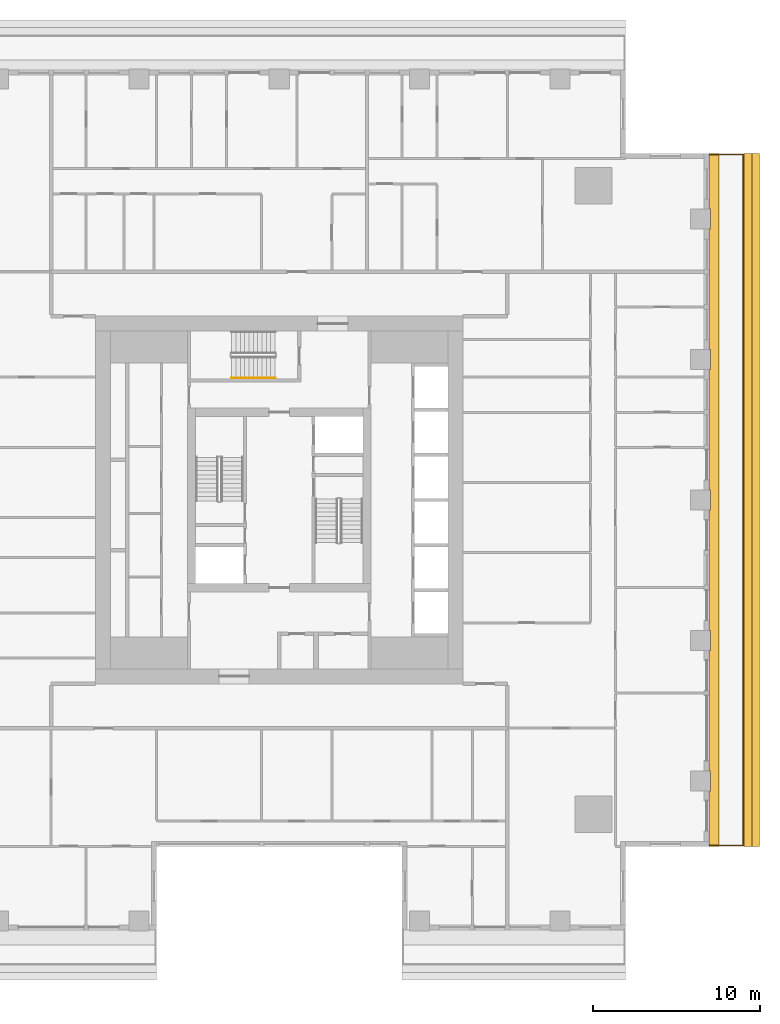
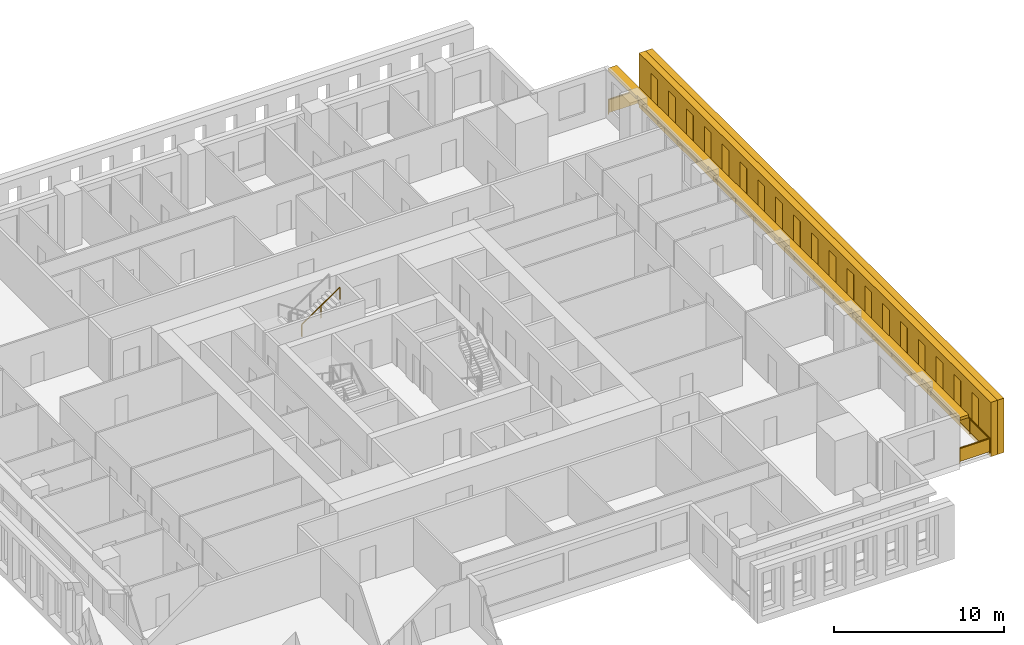
# One storey, part 13 of 15: 3 shading devices, 2 railings.
"""IFC4 building model written with IfcOpenShell, lengths in metres."""

from ifc_helpers import new_model, si_unit, direction, frame, origin, origin_2d, place, context, subcontext, project, spatial, polyline, rectangle, outline, extrude, material, layer, layer_set, type_object, element, save


model = new_model("IFC4")

# Units and contexts
model_context = context("Model", 3, precision=1e-05, world=origin(), true_north=direction((0.0, 1.0)))
body_context = subcontext(model_context, "Body", "Model", "MODEL_VIEW")
ifc_project = project(units=[si_unit("LENGTHUNIT", "METRE"), si_unit("AREAUNIT", "SQUARE_METRE"), si_unit("VOLUMEUNIT", "CUBIC_METRE"), si_unit("PLANEANGLEUNIT", "RADIAN"), si_unit("MASSUNIT", "GRAM", prefix="KILO")], contexts=[model_context])

# Site, building, storey
site_placement = place(None, origin())
site = spatial("IfcSite", under=ifc_project, at=site_placement, CompositionType="ELEMENT")
building_placement = place(site_placement, origin())
building = spatial("IfcBuilding", under=site, at=building_placement, Name="Khepri Terraces", CompositionType="ELEMENT")
storey_placement = place(building_placement, frame((0.0, 0.0, 260.10009765625)))
storey = spatial("IfcBuildingStorey", under=building, at=storey_placement, Name="L62", CompositionType="ELEMENT", Elevation=260.10009765625)

# Railings
ifc_material_1 = material(Name="Stainless steel grade 316", Category="steel")
railing_type_1 = type_object("IfcRailingType", Name="GRD-BAL-1100", PredefinedType="GUARDRAIL", material=ifc_material_1)
railing_1_placement = place(storey_placement, frame((25.719970703125, -20.669921875, 0.0)))
element("IfcRailing", 1, at=railing_1_placement, inside=storey, type_object=railing_type_1, Name="Balcony guard L62 E", PredefinedType="GUARDRAIL", context=body_context, shape_type="SweptSolid", body=[
    extrude(rectangle(XDim=0.050048828125, YDim=0.06005859375, at=origin_2d()), frame((0.0, 0.0, 1.070068359375), z_axis=(1.0, 0.0, 0.0), x_axis=(0.0, 1.0, 0.0)), (0.0, 0.0, 1.0), 2.050048828125),
    extrude(rectangle(XDim=2.0, YDim=0.011962890625, at=origin_2d()), frame((1.02490234375, 0.0, 0.10009765625), z_axis=(0.0, 0.0, 1.0), x_axis=(1.0, 0.0, 0.0)), (0.0, 0.0, 1.0), 0.93994140625),
    extrude(rectangle(XDim=0.050048828125, YDim=0.06005859375, at=origin_2d()), frame((2.050048828125, 0.0, 1.070068359375), z_axis=(0.0, 1.0, 0.0), x_axis=(-1.0, 0.0, 0.0)), (0.0, 0.0, 1.0), 41.33984375),
    extrude(rectangle(XDim=2.24658203125, YDim=0.011962890625, at=origin_2d()), frame((2.050048828125, 1.1484375, 0.10009765625), z_axis=(0.0, 0.0, 1.0), x_axis=(0.0, 1.0, 0.0)), (0.0, 0.0, 1.0), 0.93994140625),
    extrude(rectangle(XDim=2.24658203125, YDim=0.011962890625, at=origin_2d()), frame((2.050048828125, 3.445068359375, 0.10009765625), z_axis=(0.0, 0.0, 1.0), x_axis=(0.0, 1.0, 0.0)), (0.0, 0.0, 1.0), 0.93994140625),
    extrude(rectangle(XDim=2.24658203125, YDim=0.011962890625, at=origin_2d()), frame((2.050048828125, 5.74169921875, 0.10009765625), z_axis=(0.0, 0.0, 1.0), x_axis=(0.0, 1.0, 0.0)), (0.0, 0.0, 1.0), 0.93994140625),
    extrude(rectangle(XDim=2.24658203125, YDim=0.011962890625, at=origin_2d()), frame((2.050048828125, 8.038330078125, 0.10009765625), z_axis=(0.0, 0.0, 1.0), x_axis=(0.0, 1.0, 0.0)), (0.0, 0.0, 1.0), 0.93994140625),
    extrude(rectangle(XDim=2.24658203125, YDim=0.011962890625, at=origin_2d()), frame((2.050048828125, 10.3349609375, 0.10009765625), z_axis=(0.0, 0.0, 1.0), x_axis=(0.0, 1.0, 0.0)), (0.0, 0.0, 1.0), 0.93994140625),
    extrude(rectangle(XDim=2.24658203125, YDim=0.011962890625, at=origin_2d()), frame((2.050048828125, 12.631591796875, 0.10009765625), z_axis=(0.0, 0.0, 1.0), x_axis=(0.0, 1.0, 0.0)), (0.0, 0.0, 1.0), 0.93994140625),
    extrude(rectangle(XDim=2.24658203125, YDim=0.011962890625, at=origin_2d()), frame((2.050048828125, 14.92822265625, 0.10009765625), z_axis=(0.0, 0.0, 1.0), x_axis=(0.0, 1.0, 0.0)), (0.0, 0.0, 1.0), 0.93994140625),
    extrude(rectangle(XDim=2.24658203125, YDim=0.011962890625, at=origin_2d()), frame((2.050048828125, 17.224853515625, 0.10009765625), z_axis=(0.0, 0.0, 1.0), x_axis=(0.0, 1.0, 0.0)), (0.0, 0.0, 1.0), 0.93994140625),
    extrude(rectangle(XDim=2.24658203125, YDim=0.011962890625, at=origin_2d()), frame((2.050048828125, 19.521484375, 0.10009765625), z_axis=(0.0, 0.0, 1.0), x_axis=(0.0, 1.0, 0.0)), (0.0, 0.0, 1.0), 0.93994140625),
    extrude(rectangle(XDim=2.24658203125, YDim=0.011962890625, at=origin_2d()), frame((2.050048828125, 21.818359375, 0.10009765625), z_axis=(0.0, 0.0, 1.0), x_axis=(0.0, 1.0, 0.0)), (0.0, 0.0, 1.0), 0.93994140625),
    extrude(rectangle(XDim=2.24658203125, YDim=0.011962890625, at=origin_2d()), frame((2.050048828125, 24.114990234375, 0.10009765625), z_axis=(0.0, 0.0, 1.0), x_axis=(0.0, 1.0, 0.0)), (0.0, 0.0, 1.0), 0.93994140625),
    extrude(rectangle(XDim=2.24658203125, YDim=0.011962890625, at=origin_2d()), frame((2.050048828125, 26.41162109375, 0.10009765625), z_axis=(0.0, 0.0, 1.0), x_axis=(0.0, 1.0, 0.0)), (0.0, 0.0, 1.0), 0.93994140625),
    extrude(rectangle(XDim=2.24658203125, YDim=0.011962890625, at=origin_2d()), frame((2.050048828125, 28.708251953125, 0.10009765625), z_axis=(0.0, 0.0, 1.0), x_axis=(0.0, 1.0, 0.0)), (0.0, 0.0, 1.0), 0.93994140625),
    extrude(rectangle(XDim=2.24658203125, YDim=0.011962890625, at=origin_2d()), frame((2.050048828125, 31.0048828125, 0.10009765625), z_axis=(0.0, 0.0, 1.0), x_axis=(0.0, 1.0, 0.0)), (0.0, 0.0, 1.0), 0.93994140625),
    extrude(rectangle(XDim=2.24658203125, YDim=0.011962890625, at=origin_2d()), frame((2.050048828125, 33.301513671875, 0.10009765625), z_axis=(0.0, 0.0, 1.0), x_axis=(0.0, 1.0, 0.0)), (0.0, 0.0, 1.0), 0.93994140625),
    extrude(rectangle(XDim=2.24658203125, YDim=0.011962890625, at=origin_2d()), frame((2.050048828125, 35.59814453125, 0.10009765625), z_axis=(0.0, 0.0, 1.0), x_axis=(0.0, 1.0, 0.0)), (0.0, 0.0, 1.0), 0.93994140625),
    extrude(rectangle(XDim=2.24658203125, YDim=0.011962890625, at=origin_2d()), frame((2.050048828125, 37.894775390625, 0.10009765625), z_axis=(0.0, 0.0, 1.0), x_axis=(0.0, 1.0, 0.0)), (0.0, 0.0, 1.0), 0.93994140625),
    extrude(rectangle(XDim=2.24658203125, YDim=0.011962890625, at=origin_2d()), frame((2.050048828125, 40.19140625, 0.10009765625), z_axis=(0.0, 0.0, 1.0), x_axis=(0.0, 1.0, 0.0)), (0.0, 0.0, 1.0), 0.93994140625),
    extrude(rectangle(XDim=0.050048828125, YDim=0.06005859375, at=origin_2d()), frame((2.050048828125, 41.33984375, 1.070068359375), z_axis=(-1.0, 0.0, 0.0), x_axis=(0.0, -1.0, 0.0)), (0.0, 0.0, 1.0), 2.050048828125),
    extrude(rectangle(XDim=2.0, YDim=0.011962890625, at=origin_2d()), frame((1.02490234375, 41.33984375, 0.10009765625), z_axis=(0.0, 0.0, 1.0), x_axis=(-1.0, 0.0, 0.0)), (0.0, 0.0, 1.0), 0.93994140625),
    extrude(rectangle(XDim=0.050048828125, YDim=0.050048828125, at=origin_2d()), origin(), (0.0, 0.0, 1.0), 1.0400390625),
    extrude(rectangle(XDim=0.050048828125, YDim=0.050048828125, at=origin_2d()), frame((2.050048828125, 0.0, 0.0)), (0.0, 0.0, 1.0), 1.0400390625),
    extrude(rectangle(XDim=0.050048828125, YDim=0.050048828125, at=origin_2d()), frame((2.050048828125, 2.296630859375, 0.0)), (0.0, 0.0, 1.0), 1.0400390625),
    extrude(rectangle(XDim=0.050048828125, YDim=0.050048828125, at=origin_2d()), frame((2.050048828125, 4.59326171875, 0.0)), (0.0, 0.0, 1.0), 1.0400390625),
    extrude(rectangle(XDim=0.050048828125, YDim=0.050048828125, at=origin_2d()), frame((2.050048828125, 6.889892578125, 0.0)), (0.0, 0.0, 1.0), 1.0400390625),
    extrude(rectangle(XDim=0.050048828125, YDim=0.050048828125, at=origin_2d()), frame((2.050048828125, 9.1865234375, 0.0)), (0.0, 0.0, 1.0), 1.0400390625),
    extrude(rectangle(XDim=0.050048828125, YDim=0.050048828125, at=origin_2d()), frame((2.050048828125, 11.4833984375, 0.0)), (0.0, 0.0, 1.0), 1.0400390625),
    extrude(rectangle(XDim=0.050048828125, YDim=0.050048828125, at=origin_2d()), frame((2.050048828125, 13.780029296875, 0.0)), (0.0, 0.0, 1.0), 1.0400390625),
    extrude(rectangle(XDim=0.050048828125, YDim=0.050048828125, at=origin_2d()), frame((2.050048828125, 16.07666015625, 0.0)), (0.0, 0.0, 1.0), 1.0400390625),
    extrude(rectangle(XDim=0.050048828125, YDim=0.050048828125, at=origin_2d()), frame((2.050048828125, 18.373291015625, 0.0)), (0.0, 0.0, 1.0), 1.0400390625),
    extrude(rectangle(XDim=0.050048828125, YDim=0.050048828125, at=origin_2d()), frame((2.050048828125, 20.669921875, 0.0)), (0.0, 0.0, 1.0), 1.0400390625),
    extrude(rectangle(XDim=0.050048828125, YDim=0.050048828125, at=origin_2d()), frame((2.050048828125, 22.966552734375, 0.0)), (0.0, 0.0, 1.0), 1.0400390625),
    extrude(rectangle(XDim=0.050048828125, YDim=0.050048828125, at=origin_2d()), frame((2.050048828125, 25.26318359375, 0.0)), (0.0, 0.0, 1.0), 1.0400390625),
    extrude(rectangle(XDim=0.050048828125, YDim=0.050048828125, at=origin_2d()), frame((2.050048828125, 27.559814453125, 0.0)), (0.0, 0.0, 1.0), 1.0400390625),
    extrude(rectangle(XDim=0.050048828125, YDim=0.050048828125, at=origin_2d()), frame((2.050048828125, 29.8564453125, 0.0)), (0.0, 0.0, 1.0), 1.0400390625),
    extrude(rectangle(XDim=0.050048828125, YDim=0.050048828125, at=origin_2d()), frame((2.050048828125, 32.1533203125, 0.0)), (0.0, 0.0, 1.0), 1.0400390625),
    extrude(rectangle(XDim=0.050048828125, YDim=0.050048828125, at=origin_2d()), frame((2.050048828125, 34.449951171875, 0.0)), (0.0, 0.0, 1.0), 1.0400390625),
    extrude(rectangle(XDim=0.050048828125, YDim=0.050048828125, at=origin_2d()), frame((2.050048828125, 36.74658203125, 0.0)), (0.0, 0.0, 1.0), 1.0400390625),
    extrude(rectangle(XDim=0.050048828125, YDim=0.050048828125, at=origin_2d()), frame((2.050048828125, 39.043212890625, 0.0)), (0.0, 0.0, 1.0), 1.0400390625),
    extrude(rectangle(XDim=0.050048828125, YDim=0.050048828125, at=origin_2d()), frame((2.050048828125, 41.33984375, 0.0)), (0.0, 0.0, 1.0), 1.0400390625),
    extrude(rectangle(XDim=0.050048828125, YDim=0.050048828125, at=origin_2d()), frame((0.0, 41.33984375, 0.0)), (0.0, 0.0, 1.0), 1.0400390625),
])
ifc_material_2 = material(Name="Stainless steel 316", Category="steel")
railing_type_2 = type_object("IfcRailingType", Name="RL-CORE-HANDRAIL", PredefinedType="HANDRAIL", material=ifc_material_2)
railing_2_placement = place(storey_placement, frame((-2.85009765625, 7.300048828125, 2.127197265625)))
element("IfcRailing", 2, at=railing_2_placement, inside=storey, type_object=railing_type_2, Name="L62 ST-3 stair handrail 2", PredefinedType="HANDRAIL", context=body_context, shape_type="SweptSolid", body=[
    extrude(rectangle(XDim=0.050048828125, YDim=0.050048828125, at=origin_2d()), frame((0.0, 0.0, 0.875), z_axis=(0.826240473404, 0.0, 0.563317565952), x_axis=(0.0, 1.0, 0.0)), (0.0, 0.0, 1.0), 3.14697265625),
    extrude(rectangle(XDim=0.050048828125, YDim=0.050048828125, at=origin_2d()), origin(), (0.0, 0.0, 1.0), 0.849853515625),
    extrude(rectangle(XDim=0.050048828125, YDim=0.050048828125, at=origin_2d()), frame((1.300048828125, 0.0, 0.88623046875)), (0.0, 0.0, 1.0), 0.849853515625),
    extrude(rectangle(XDim=0.050048828125, YDim=0.050048828125, at=origin_2d()), frame((2.60009765625, 0.0, 1.772705078125)), (0.0, 0.0, 1.0), 0.849853515625),
])

# Shading devices
ifc_material_3 = material(Name="Precast concrete C50/60 warm stone", Category="masonry")
shading_device_type_1 = type_object("IfcShadingDeviceType", Name="SCR-CELL-INNER-450", PredefinedType="USERDEFINED", material=ifc_material_3)
shading_device_1_placement = place(storey_placement, frame((27.820068359375, -20.719970703125, -0.25), z_axis=(1.0, 0.0, 0.0), x_axis=(0.0, 1.0, 0.0)))
element("IfcShadingDevice", 3, at=shading_device_1_placement, inside=storey, type_object=shading_device_type_1, Name="Cell screen L62 E in", ObjectType="SCREEN", PredefinedType="USERDEFINED", context=body_context, shape_type="SweptSolid", body=[
    extrude(outline(polyline([(0.0, 0.0), (41.43994140625, 0.0), (41.43994140625, 3.89990234375), (0.0, 3.89990234375), (0.0, 0.0)]), holes=[polyline([(1.41845703125, 0.699951171875), (2.2216796875, 0.699951171875), (2.2216796875, 3.300048828125), (1.41845703125, 3.300048828125), (1.41845703125, 0.699951171875)]), polyline([(3.518310546875, 0.699951171875), (4.321533203125, 0.699951171875), (4.321533203125, 3.300048828125), (3.518310546875, 3.300048828125), (3.518310546875, 0.699951171875)]), polyline([(5.618408203125, 0.699951171875), (6.421630859375, 0.699951171875), (6.421630859375, 3.300048828125), (5.618408203125, 3.300048828125), (5.618408203125, 0.699951171875)]), polyline([(7.718505859375, 0.699951171875), (8.521484375, 0.699951171875), (8.521484375, 3.300048828125), (7.718505859375, 3.300048828125), (7.718505859375, 0.699951171875)]), polyline([(9.818359375, 0.699951171875), (10.62158203125, 0.699951171875), (10.62158203125, 3.300048828125), (9.818359375, 3.300048828125), (9.818359375, 0.699951171875)]), polyline([(11.91845703125, 0.699951171875), (12.7216796875, 0.699951171875), (12.7216796875, 3.300048828125), (11.91845703125, 3.300048828125), (11.91845703125, 0.699951171875)]), polyline([(14.018310546875, 0.699951171875), (14.821533203125, 0.699951171875), (14.821533203125, 3.300048828125), (14.018310546875, 3.300048828125), (14.018310546875, 0.699951171875)]), polyline([(16.118408203125, 0.699951171875), (16.921630859375, 0.699951171875), (16.921630859375, 3.300048828125), (16.118408203125, 3.300048828125), (16.118408203125, 0.699951171875)]), polyline([(18.218505859375, 0.699951171875), (19.021484375, 0.699951171875), (19.021484375, 3.300048828125), (18.218505859375, 3.300048828125), (18.218505859375, 0.699951171875)]), polyline([(20.318359375, 0.699951171875), (21.12158203125, 0.699951171875), (21.12158203125, 3.300048828125), (20.318359375, 3.300048828125), (20.318359375, 0.699951171875)]), polyline([(22.41845703125, 0.699951171875), (23.2216796875, 0.699951171875), (23.2216796875, 3.300048828125), (22.41845703125, 3.300048828125), (22.41845703125, 0.699951171875)]), polyline([(24.518310546875, 0.699951171875), (25.321533203125, 0.699951171875), (25.321533203125, 3.300048828125), (24.518310546875, 3.300048828125), (24.518310546875, 0.699951171875)]), polyline([(26.618408203125, 0.699951171875), (27.421630859375, 0.699951171875), (27.421630859375, 3.300048828125), (26.618408203125, 3.300048828125), (26.618408203125, 0.699951171875)]), polyline([(28.718505859375, 0.699951171875), (29.521484375, 0.699951171875), (29.521484375, 3.300048828125), (28.718505859375, 3.300048828125), (28.718505859375, 0.699951171875)]), polyline([(30.818359375, 0.699951171875), (31.62158203125, 0.699951171875), (31.62158203125, 3.300048828125), (30.818359375, 3.300048828125), (30.818359375, 0.699951171875)]), polyline([(32.91845703125, 0.699951171875), (33.7216796875, 0.699951171875), (33.7216796875, 3.300048828125), (32.91845703125, 3.300048828125), (32.91845703125, 0.699951171875)]), polyline([(35.018310546875, 0.699951171875), (35.821533203125, 0.699951171875), (35.821533203125, 3.300048828125), (35.018310546875, 3.300048828125), (35.018310546875, 0.699951171875)]), polyline([(37.118408203125, 0.699951171875), (37.921630859375, 0.699951171875), (37.921630859375, 3.300048828125), (37.118408203125, 3.300048828125), (37.118408203125, 0.699951171875)]), polyline([(39.218505859375, 0.699951171875), (40.021484375, 0.699951171875), (40.021484375, 3.300048828125), (39.218505859375, 3.300048828125), (39.218505859375, 0.699951171875)])]), origin(), (0.0, 0.0, 1.0), 0.449951171875),
])
shading_device_type_2 = type_object("IfcShadingDeviceType", Name="SCR-CELL-OUTER-450", PredefinedType="USERDEFINED", material=ifc_material_3)
shading_device_2_placement = place(storey_placement, frame((28.27001953125, -20.719970703125, -0.25), z_axis=(1.0, 0.0, 0.0), x_axis=(0.0, 1.0, 0.0)))
element("IfcShadingDevice", 4, at=shading_device_2_placement, inside=storey, type_object=shading_device_type_2, Name="Cell screen L62 E out", ObjectType="SCREEN", PredefinedType="USERDEFINED", context=body_context, shape_type="SweptSolid", body=[
    extrude(outline(polyline([(0.0, 0.0), (41.43994140625, 0.0), (41.43994140625, 3.89990234375), (0.0, 3.89990234375), (0.0, 0.0)]), holes=[polyline([(1.068359375, 0.449951171875), (2.571533203125, 0.449951171875), (2.571533203125, 3.550048828125), (1.068359375, 3.550048828125), (1.068359375, 0.449951171875)]), polyline([(3.16845703125, 0.449951171875), (4.671630859375, 0.449951171875), (4.671630859375, 3.550048828125), (3.16845703125, 3.550048828125), (3.16845703125, 0.449951171875)]), polyline([(5.268310546875, 0.449951171875), (6.771484375, 0.449951171875), (6.771484375, 3.550048828125), (5.268310546875, 3.550048828125), (5.268310546875, 0.449951171875)]), polyline([(7.368408203125, 0.449951171875), (8.87158203125, 0.449951171875), (8.87158203125, 3.550048828125), (7.368408203125, 3.550048828125), (7.368408203125, 0.449951171875)]), polyline([(9.468505859375, 0.449951171875), (10.9716796875, 0.449951171875), (10.9716796875, 3.550048828125), (9.468505859375, 3.550048828125), (9.468505859375, 0.449951171875)]), polyline([(11.568359375, 0.449951171875), (13.071533203125, 0.449951171875), (13.071533203125, 3.550048828125), (11.568359375, 3.550048828125), (11.568359375, 0.449951171875)]), polyline([(13.66845703125, 0.449951171875), (15.171630859375, 0.449951171875), (15.171630859375, 3.550048828125), (13.66845703125, 3.550048828125), (13.66845703125, 0.449951171875)]), polyline([(15.768310546875, 0.449951171875), (17.271484375, 0.449951171875), (17.271484375, 3.550048828125), (15.768310546875, 3.550048828125), (15.768310546875, 0.449951171875)]), polyline([(17.868408203125, 0.449951171875), (19.37158203125, 0.449951171875), (19.37158203125, 3.550048828125), (17.868408203125, 3.550048828125), (17.868408203125, 0.449951171875)]), polyline([(19.968505859375, 0.449951171875), (21.4716796875, 0.449951171875), (21.4716796875, 3.550048828125), (19.968505859375, 3.550048828125), (19.968505859375, 0.449951171875)]), polyline([(22.068359375, 0.449951171875), (23.571533203125, 0.449951171875), (23.571533203125, 3.550048828125), (22.068359375, 3.550048828125), (22.068359375, 0.449951171875)]), polyline([(24.16845703125, 0.449951171875), (25.671630859375, 0.449951171875), (25.671630859375, 3.550048828125), (24.16845703125, 3.550048828125), (24.16845703125, 0.449951171875)]), polyline([(26.268310546875, 0.449951171875), (27.771484375, 0.449951171875), (27.771484375, 3.550048828125), (26.268310546875, 3.550048828125), (26.268310546875, 0.449951171875)]), polyline([(28.368408203125, 0.449951171875), (29.87158203125, 0.449951171875), (29.87158203125, 3.550048828125), (28.368408203125, 3.550048828125), (28.368408203125, 0.449951171875)]), polyline([(30.468505859375, 0.449951171875), (31.9716796875, 0.449951171875), (31.9716796875, 3.550048828125), (30.468505859375, 3.550048828125), (30.468505859375, 0.449951171875)]), polyline([(32.568359375, 0.449951171875), (34.071533203125, 0.449951171875), (34.071533203125, 3.550048828125), (32.568359375, 3.550048828125), (32.568359375, 0.449951171875)]), polyline([(34.66845703125, 0.449951171875), (36.171630859375, 0.449951171875), (36.171630859375, 3.550048828125), (34.66845703125, 3.550048828125), (34.66845703125, 0.449951171875)]), polyline([(36.768310546875, 0.449951171875), (38.271484375, 0.449951171875), (38.271484375, 3.550048828125), (36.768310546875, 3.550048828125), (36.768310546875, 0.449951171875)]), polyline([(38.868408203125, 0.449951171875), (40.37158203125, 0.449951171875), (40.37158203125, 3.550048828125), (38.868408203125, 3.550048828125), (38.868408203125, 0.449951171875)])]), origin(), (0.0, 0.0, 1.0), 0.449951171875),
])
ifc_layer = layer(ifc_material_3, 0.199951171875, Name="Precast concrete C50/60 warm stone", Category="masonry")
ifc_layer_set = layer_set([ifc_layer], Name="Precast concrete C50/60 warm stone")
shading_device_type_3 = type_object("IfcShadingDeviceType", Name="SSH-BAND-STONE-200-N", PredefinedType="USERDEFINED", material=ifc_layer_set)
shading_device_3_placement = place(storey_placement, frame((0.0, 0.0, 3.099853515625)))
element("IfcShadingDevice", 5, at=shading_device_3_placement, inside=storey, type_object=shading_device_type_3, Name="Sunshade band L62 E", ObjectType="SUNSHADE", PredefinedType="USERDEFINED", context=body_context, shape_type="SweptSolid", body=[
    extrude(outline(polyline([(25.719970703125, -17.39990234375), (25.719970703125, -20.719970703125), (26.320068359375, -20.719970703125), (26.320068359375, 20.719970703125), (25.719970703125, 20.719970703125), (25.719970703125, 17.39990234375), (25.800048828125, 17.39990234375), (25.800048828125, 16.199951171875), (25.719970703125, 16.199951171875), (25.719970703125, 9.0), (25.800048828125, 9.0), (25.800048828125, 7.800048828125), (25.719970703125, 7.800048828125), (25.719970703125, 0.60009765625), (25.800048828125, 0.60009765625), (25.800048828125, -0.60009765625), (25.719970703125, -0.60009765625), (25.719970703125, -7.800048828125), (25.800048828125, -7.800048828125), (25.800048828125, -9.0), (25.719970703125, -9.0), (25.719970703125, -16.199951171875), (25.800048828125, -16.199951171875), (25.800048828125, -17.39990234375), (25.719970703125, -17.39990234375)])), origin(), (0.0, 0.0, 1.0), 0.199951171875),
])

save(model, "model.ifc")
